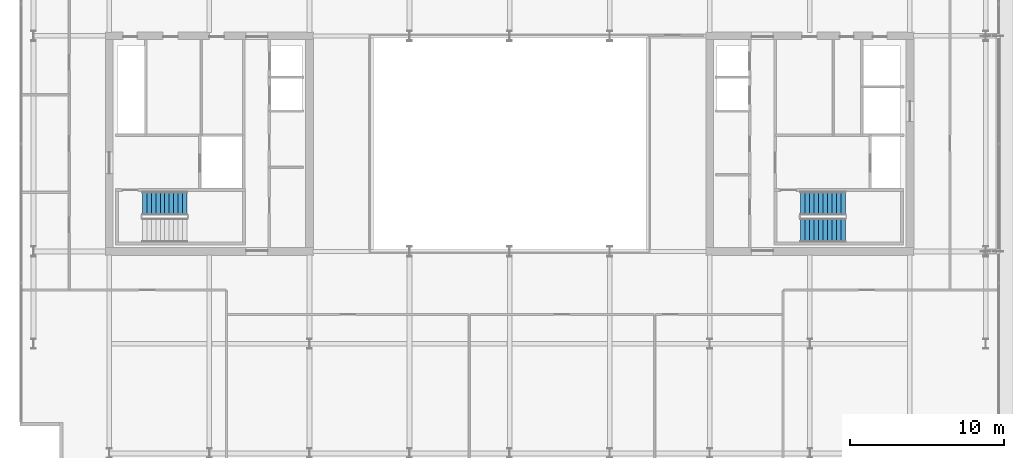
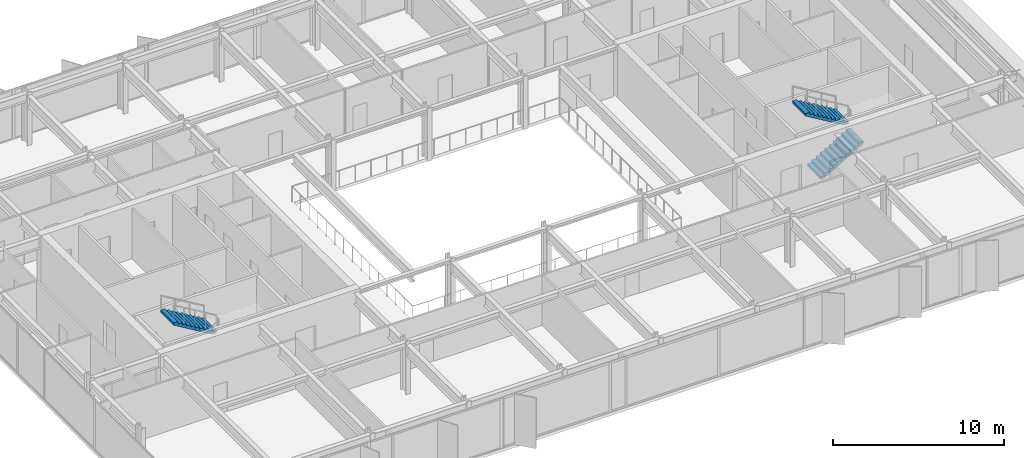
# One storey, part 15 of 19: 3 stair flights, 2 elements without a shape of their own.
"""IFC4 building model written with IfcOpenShell, lengths in metres."""

from ifc_helpers import new_model, si_unit, direction, frame, origin, place, context, subcontext, project, spatial, polyline, outline, extrude, material, type_object, element, aggregate, save


model = new_model("IFC4")

# Units and contexts
model_context = context("Model", 3, precision=1e-05, world=origin(), true_north=direction((0.0, 1.0)))
body_context = subcontext(model_context, "Body", "Model", "MODEL_VIEW")
ifc_project = project(units=[si_unit("LENGTHUNIT", "METRE"), si_unit("AREAUNIT", "SQUARE_METRE"), si_unit("VOLUMEUNIT", "CUBIC_METRE"), si_unit("PLANEANGLEUNIT", "RADIAN"), si_unit("MASSUNIT", "GRAM", prefix="KILO")], contexts=[model_context])

# Site, building, storey
site_placement = place(None, origin())
site = spatial("IfcSite", under=ifc_project, at=site_placement, CompositionType="ELEMENT")
building_placement = place(site_placement, origin())
building = spatial("IfcBuilding", under=site, at=building_placement, Name="Putna Gate Headquarters", CompositionType="ELEMENT")
storey_placement = place(building_placement, frame((0.0, 0.0, 259.39990234375)))
storey = spatial("IfcBuildingStorey", under=building, at=storey_placement, Name="L65", CompositionType="ELEMENT", Elevation=259.39990234375)

# Stair, stair flight
ifc_material = material(Name="Concrete C40/50", Category="concrete")
stair_type_1 = type_object("IfcStairType", Name="STAIR-ST1", PredefinedType="HALF_TURN_STAIR", material=ifc_material)
stair_1_placement = place(storey_placement, origin())
stair_1 = element("IfcStair", 1, at=stair_1_placement, inside=storey, type_object=stair_type_1, Name="L65 West Core Exit Stair ST1", PredefinedType="HALF_TURN_STAIR")
stair_flight_type_1 = type_object("IfcStairFlightType", Name="FLIGHT-ST1", PredefinedType="STRAIGHT", material=ifc_material)
stair_flight_1_placement = place(storey_placement, frame((18.050048828125, 22.125, 1.900146484375), z_axis=(0.0, 0.0, 1.0), x_axis=(-1.0, 0.0, 0.0)))
stair_flight_1 = element("IfcStairFlight", 2, at=stair_flight_1_placement, type_object=stair_flight_type_1, Name="ST1 flight 2", NumberOfRisers=11, NumberOfTreads=10, PredefinedType="STRAIGHT", RiserHeight=0.172727273, TreadLength=0.29, context=body_context, shape_type="SweptSolid", body=[
    extrude(outline(polyline([(0.0, 0.0), (0.0, 0.172607421875), (0.2900390625, 0.172607421875), (0.2900390625, 0.345458984375), (0.580078125, 0.345458984375), (0.580078125, 0.51806640625), (0.8701171875, 0.51806640625), (0.8701171875, 0.69091796875), (1.159912109375, 0.69091796875), (1.159912109375, 0.863525390625), (1.449951171875, 0.863525390625), (1.449951171875, 1.036376953125), (1.739990234375, 1.036376953125), (1.739990234375, 1.208984375), (2.030029296875, 1.208984375), (2.030029296875, 1.3818359375), (2.320068359375, 1.3818359375), (2.320068359375, 1.554443359375), (2.610107421875, 1.554443359375), (2.610107421875, 1.727294921875), (2.89990234375, 1.727294921875), (2.89990234375, 1.89990234375), (2.89990234375, 1.552734375), (0.29296875, 0.0), (0.0, 0.0)])), frame((0.0, 0.77490234375, 0.0), z_axis=(0.0, -1.0, 0.0), x_axis=(1.0, 0.0, 0.0)), (0.0, 0.0, 1.0), 1.550048828125),
])
aggregate(stair_1, [stair_flight_1])

# Stair, stair flights
stair_type_2 = type_object("IfcStairType", Name="STAIR-ST2", PredefinedType="HALF_TURN_STAIR", material=ifc_material)
stair_2_placement = place(storey_placement, origin())
stair_2 = element("IfcStair", 3, at=stair_2_placement, inside=storey, type_object=stair_type_2, Name="L65 East Core Exit Stair ST2", PredefinedType="HALF_TURN_STAIR")
stair_flight_type_2 = type_object("IfcStairFlightType", Name="FLIGHT-ST2", PredefinedType="STRAIGHT", material=ifc_material)
stair_flight_2_placement = place(storey_placement, frame((57.89990234375, 20.375, 0.0), z_axis=(0.0, 0.0, 1.0), x_axis=(1.0, 0.0, 0.0)))
stair_flight_2 = element("IfcStairFlight", 4, at=stair_flight_2_placement, type_object=stair_flight_type_2, Name="ST2 flight 1", NumberOfRisers=11, NumberOfTreads=10, PredefinedType="STRAIGHT", RiserHeight=0.172727273, TreadLength=0.29, context=body_context, shape_type="SweptSolid", body=[
    extrude(outline(polyline([(0.0, 0.0), (0.0, 0.172607421875), (0.2900390625, 0.172607421875), (0.2900390625, 0.345458984375), (0.580078125, 0.345458984375), (0.580078125, 0.51806640625), (0.8701171875, 0.51806640625), (0.8701171875, 0.69091796875), (1.159912109375, 0.69091796875), (1.159912109375, 0.863525390625), (1.449951171875, 0.863525390625), (1.449951171875, 1.036376953125), (1.739990234375, 1.036376953125), (1.739990234375, 1.208984375), (2.030029296875, 1.208984375), (2.030029296875, 1.3818359375), (2.320068359375, 1.3818359375), (2.320068359375, 1.554443359375), (2.610107421875, 1.554443359375), (2.610107421875, 1.727294921875), (2.89990234375, 1.727294921875), (2.89990234375, 1.89990234375), (2.89990234375, 1.552734375), (0.29296875, 0.0), (0.0, 0.0)])), frame((0.0, 0.77490234375, 0.0), z_axis=(0.0, -1.0, 0.0), x_axis=(1.0, 0.0, 0.0)), (0.0, 0.0, 1.0), 1.550048828125),
])
stair_flight_3_placement = place(storey_placement, frame((60.800048828125, 22.125, 1.900146484375), z_axis=(0.0, 0.0, 1.0), x_axis=(-1.0, 0.0, 0.0)))
stair_flight_3 = element("IfcStairFlight", 5, at=stair_flight_3_placement, type_object=stair_flight_type_2, Name="ST2 flight 2", NumberOfRisers=11, NumberOfTreads=10, PredefinedType="STRAIGHT", RiserHeight=0.172727273, TreadLength=0.29, context=body_context, shape_type="SweptSolid", body=[
    extrude(outline(polyline([(0.0, 0.0), (0.0, 0.172607421875), (0.2900390625, 0.172607421875), (0.2900390625, 0.345458984375), (0.580078125, 0.345458984375), (0.580078125, 0.51806640625), (0.8701171875, 0.51806640625), (0.8701171875, 0.69091796875), (1.159912109375, 0.69091796875), (1.159912109375, 0.863525390625), (1.449951171875, 0.863525390625), (1.449951171875, 1.036376953125), (1.739990234375, 1.036376953125), (1.739990234375, 1.208984375), (2.030029296875, 1.208984375), (2.030029296875, 1.3818359375), (2.320068359375, 1.3818359375), (2.320068359375, 1.554443359375), (2.610107421875, 1.554443359375), (2.610107421875, 1.727294921875), (2.89990234375, 1.727294921875), (2.89990234375, 1.89990234375), (2.89990234375, 1.552734375), (0.29296875, 0.0), (0.0, 0.0)])), frame((0.0, 0.77490234375, 0.0), z_axis=(0.0, -1.0, 0.0), x_axis=(1.0, 0.0, 0.0)), (0.0, 0.0, 1.0), 1.550048828125),
])
aggregate(stair_2, [stair_flight_2, stair_flight_3])

save(model, "model.ifc")
